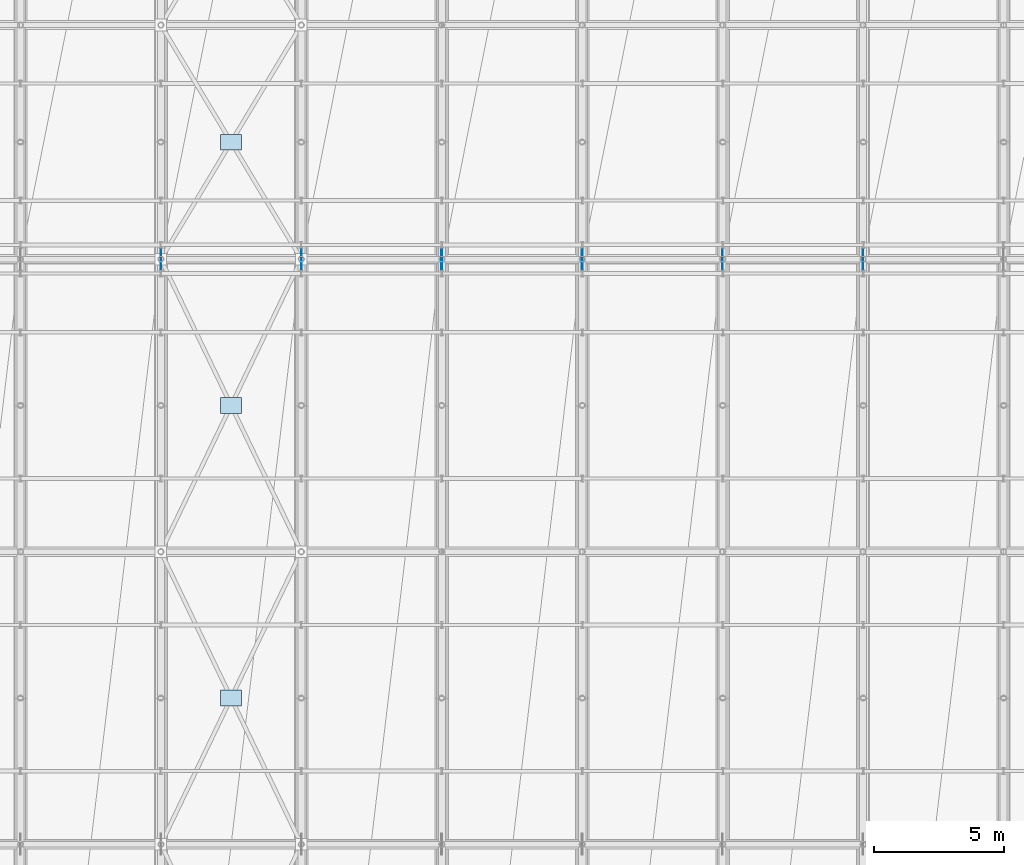
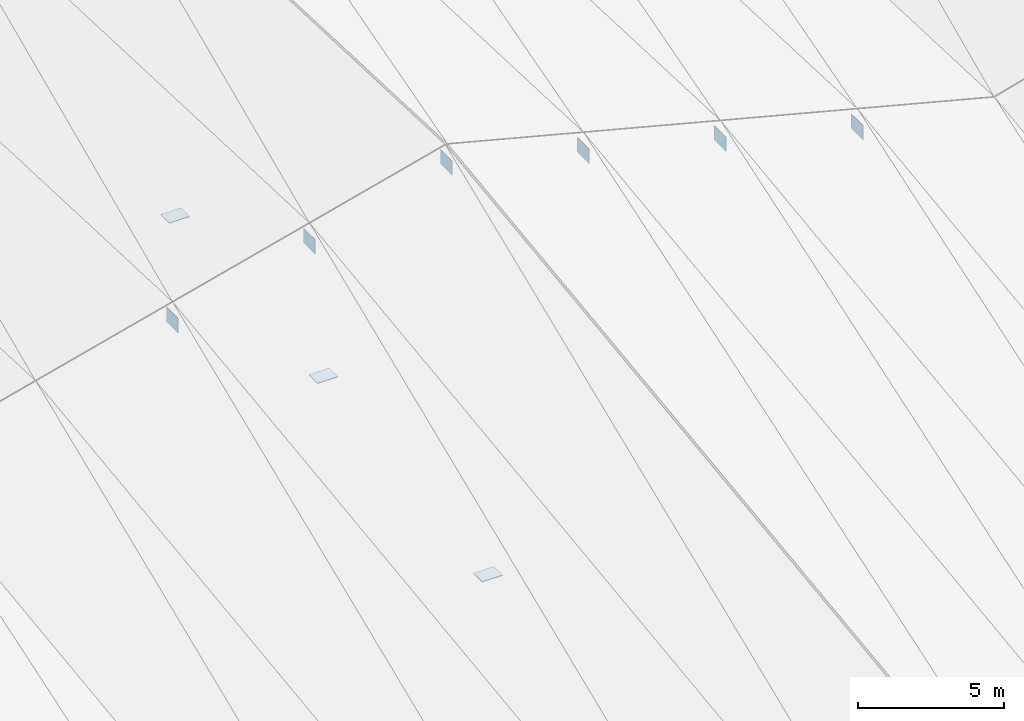
# One storey, part 99 of 109: 9 plates.
"""IFC4 building model written with IfcOpenShell, lengths in metres."""

from ifc_helpers import new_model, si_unit, direction, frame, origin, origin_2d, place, context, subcontext, project, spatial, rectangle, extrude, material, layer, layer_set, type_object, element, save


model = new_model("IFC4")

# Units and contexts
model_context = context("Model", 3, precision=1e-05, world=origin(), true_north=direction((0.0, 1.0)))
body_context = subcontext(model_context, "Body", "Model", "MODEL_VIEW")
ifc_project = project(units=[si_unit("LENGTHUNIT", "METRE"), si_unit("AREAUNIT", "SQUARE_METRE"), si_unit("VOLUMEUNIT", "CUBIC_METRE"), si_unit("PLANEANGLEUNIT", "RADIAN"), si_unit("MASSUNIT", "GRAM", prefix="KILO")], contexts=[model_context])

# Site, building, storey
site_placement = place(None, origin())
site = spatial("IfcSite", under=ifc_project, at=site_placement, CompositionType="ELEMENT")
building_placement = place(site_placement, origin())
building = spatial("IfcBuilding", under=site, at=building_placement, Name="Suirenkawa Promenade Aquatics Centre", CompositionType="ELEMENT")
storey_placement = place(building_placement, frame((0.0, 0.0, 22.800048828125)))
storey = spatial("IfcBuildingStorey", under=building, at=storey_placement, Name="ROOF", CompositionType="ELEMENT", Elevation=22.800048828125)

# Plates
ifc_material = material(Name="Steel IS 2062 E350 (Grade 350)", Category="steel")
ifc_layer = layer(ifc_material, 0.02392578125, Name="Steel IS 2062 E350 (Grade 350)", Category="steel")
ifc_layer_set = layer_set([ifc_layer], Name="Steel IS 2062 E350 (Grade 350)")
plate_type = type_object("IfcPlateType", Name="PLT-GUSSET-800x600x24", PredefinedType="USERDEFINED", material=ifc_layer_set)
for number, where, z_axis, x_axis, name in (
    (1, (100.800048828125, 95.39990234375, -6.860107421875), (0.0, 0.0, 1.0), (0.0, 1.0, 0.0), "Truss node plate TN-04 PLG-0041"),
    (2, (106.199951171875, 95.39990234375, -5.460205078125), (0.0, 0.0, 1.0), (0.0, 1.0, 0.0), "Truss node plate TN-04 PLG-0044"),
    (3, (111.60009765625, 95.39990234375, -4.06005859375), (0.0, 0.0, 1.0), (0.0, 1.0, 0.0), "Truss node plate TN-04 PLG-0049"),
    (4, (117.0, 95.39990234375, -5.460205078125), (0.0, 0.0, 1.0), (0.0, 1.0, 0.0), "Truss node plate TN-04 PLG-0052"),
    (5, (122.39990234375, 95.39990234375, -6.860107421875), (0.0, 0.0, 1.0), (0.0, 1.0, 0.0), "Truss node plate TN-04 PLG-0057"),
    (6, (127.800048828125, 95.39990234375, -8.260009765625), (0.0, 0.0, 1.0), (0.0, 1.0, 0.0), "Truss node plate TN-04 PLG-0060"),
):
    element("IfcPlate", number, at=place(storey_placement, frame(where, z_axis=z_axis, x_axis=x_axis)), inside=storey, type_object=plate_type, Name=name, ObjectType="GUSSET", PredefinedType="USERDEFINED", context=body_context, shape_type="SweptSolid", body=[
        extrude(rectangle(XDim=0.800048828125, YDim=0.02392578125, at=origin_2d()), origin(), (0.0, 0.0, 1.0), 0.60009765625),
    ])
for number, where, z_axis, x_axis, name in (
    (7, (103.5, 78.52490234375, -7.886962890625), (0.0, 0.0, 1.0), (1.0, 0.0, 0.0), "Truss node plate TN-04 PLG-0102"),
    (8, (103.5, 89.77490234375, -6.43701171875), (0.0, 0.0, 1.0), (1.0, 0.0, 0.0), "Truss node plate TN-04 PLG-0105"),
    (9, (103.5, 99.89990234375, -5.89599609375), (0.0, 0.0, 1.0), (1.0, 0.0, 0.0), "Truss node plate TN-04 PLG-0108"),
):
    element("IfcPlate", number, at=place(storey_placement, frame(where, z_axis=z_axis, x_axis=x_axis)), inside=storey, type_object=plate_type, Name=name, ObjectType="GUSSET", PredefinedType="USERDEFINED", context=body_context, shape_type="SweptSolid", body=[
        extrude(rectangle(XDim=0.800048828125, YDim=0.60009765625, at=origin_2d()), origin(), (0.0, 0.0, 1.0), 0.02392578125),
    ])

save(model, "model.ifc")
